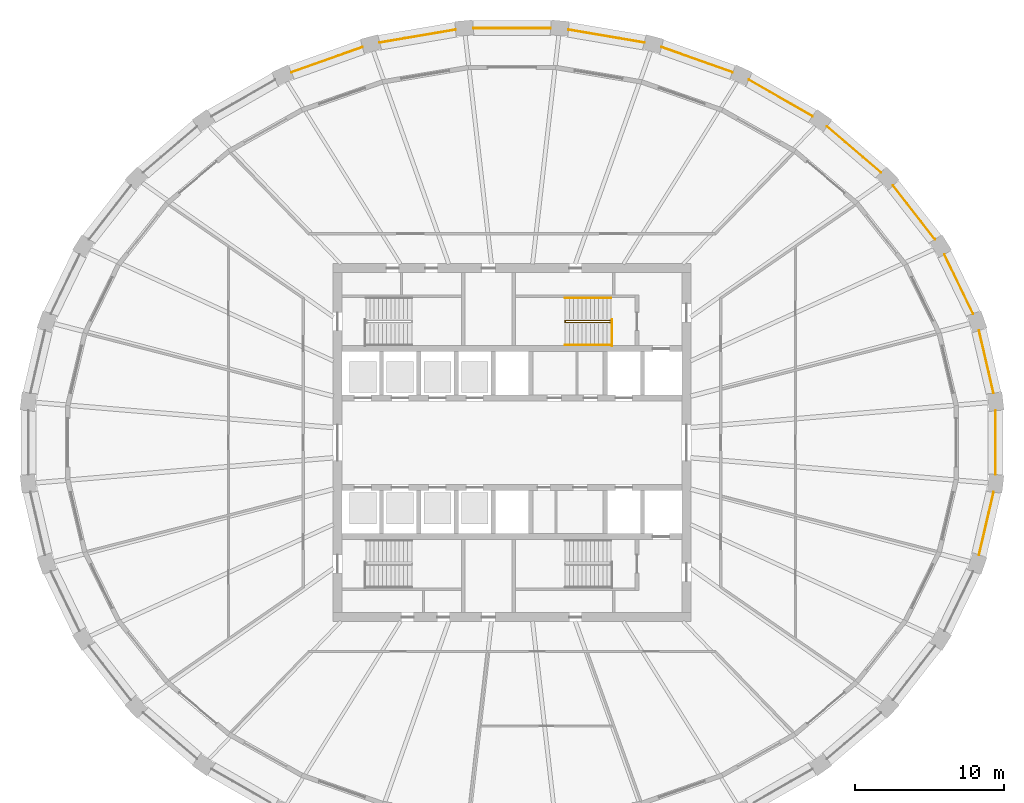
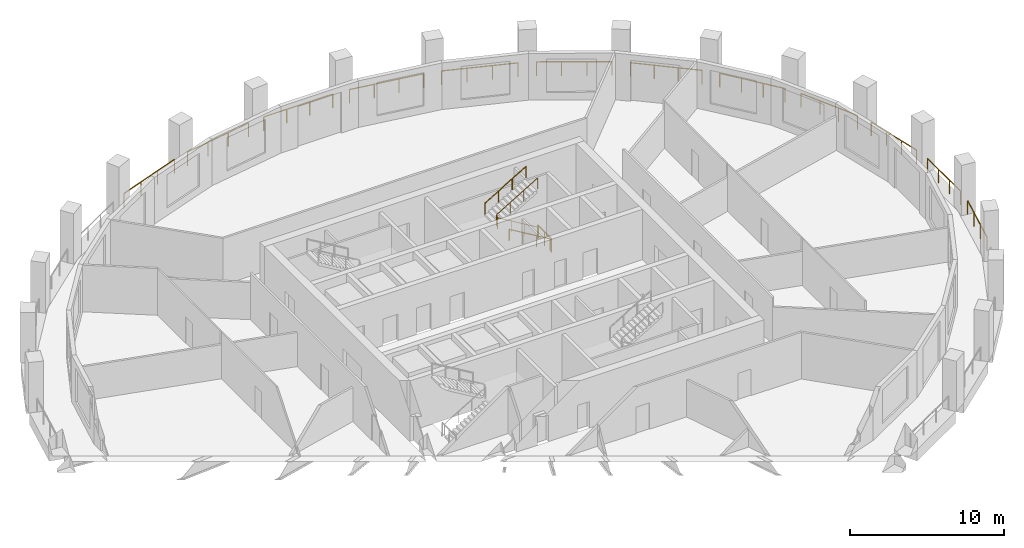
# One storey, part 9 of 10: 16 railings.
"""IFC4 building model written with IfcOpenShell, lengths in metres."""

from ifc_helpers import new_model, si_unit, direction, frame, origin, origin_2d, place, context, subcontext, project, spatial, circle, extrude, material, type_object, element, save


model = new_model("IFC4")

# Units and contexts
model_context = context("Model", 3, precision=1e-05, world=origin(), true_north=direction((0.0, 1.0)))
body_context = subcontext(model_context, "Body", "Model", "MODEL_VIEW")
ifc_project = project(units=[si_unit("LENGTHUNIT", "METRE"), si_unit("AREAUNIT", "SQUARE_METRE"), si_unit("VOLUMEUNIT", "CUBIC_METRE"), si_unit("PLANEANGLEUNIT", "RADIAN"), si_unit("MASSUNIT", "GRAM", prefix="KILO")], contexts=[model_context])

# Site, building, storey
site_placement = place(None, origin())
site = spatial("IfcSite", under=ifc_project, at=site_placement, CompositionType="ELEMENT")
building_placement = place(site_placement, origin())
building = spatial("IfcBuilding", under=site, at=building_placement, Name="Halqa Exchange Tower", CompositionType="ELEMENT")
storey_placement = place(building_placement, frame((0.0, 0.0, 190.89990234375)))
storey = spatial("IfcBuildingStorey", under=building, at=storey_placement, Name="L43", CompositionType="ELEMENT", Elevation=190.89990234375)

# Railings
ifc_material = material(Name="Stainless steel", Category="steel")
railing_type_1 = type_object("IfcRailingType", Name="Guard 1100 stainless steel", PredefinedType="GUARDRAIL", material=ifc_material)
railing_1_placement = place(storey_placement, frame((32.286376953125, 3.321533203125, 0.0)))
element("IfcRailing", 1, at=railing_1_placement, inside=storey, type_object=railing_type_1, Name="Loggia guard 1", PredefinedType="GUARDRAIL", context=body_context, shape_type="SweptSolid", body=[
    extrude(circle(Radius=0.02392578125, at=origin_2d()), frame((0.0, 0.0, 1.076171875), z_axis=(-0.226046234035, 0.974116574173, 0.0), x_axis=(-0.974116574173, -0.226046234035, 0.0)), (0.0, 0.0, 1.0), 4.3115234375),
    extrude(circle(Radius=0.02099609375, at=origin_2d()), origin(), (0.0, 0.0, 1.0), 1.052001953125),
    extrude(circle(Radius=0.02099609375, at=origin_2d()), frame((-0.324951171875, 1.39990234375, 0.0)), (0.0, 0.0, 1.0), 1.052001953125),
    extrude(circle(Radius=0.02099609375, at=origin_2d()), frame((-0.649658203125, 2.800048828125, 0.0)), (0.0, 0.0, 1.0), 1.052001953125),
    extrude(circle(Radius=0.02099609375, at=origin_2d()), frame((-0.974609375, 4.199951171875, 0.0)), (0.0, 0.0, 1.0), 1.052001953125),
])
railing_2_placement = place(storey_placement, frame((30.9150390625, 8.646240234375, 0.0)))
element("IfcRailing", 2, at=railing_2_placement, inside=storey, type_object=railing_type_1, Name="Loggia guard 2", PredefinedType="GUARDRAIL", context=body_context, shape_type="SweptSolid", body=[
    extrude(circle(Radius=0.02392578125, at=origin_2d()), frame((0.0, 0.0, 1.076171875), z_axis=(-0.435079799451, 0.900391896959, 0.0), x_axis=(-0.900391896959, -0.435079799451, 0.0)), (0.0, 0.0, 1.0), 4.417236328125),
    extrude(circle(Radius=0.02099609375, at=origin_2d()), origin(), (0.0, 0.0, 1.0), 1.052001953125),
    extrude(circle(Radius=0.02099609375, at=origin_2d()), frame((-0.640625, 1.32568359375, 0.0)), (0.0, 0.0, 1.0), 1.052001953125),
    extrude(circle(Radius=0.02099609375, at=origin_2d()), frame((-1.28125, 2.651611328125, 0.0)), (0.0, 0.0, 1.0), 1.052001953125),
    extrude(circle(Radius=0.02099609375, at=origin_2d()), frame((-1.921875, 3.977294921875, 0.0)), (0.0, 0.0, 1.0), 1.052001953125),
])
railing_3_placement = place(storey_placement, frame((28.363037109375, 13.636962890625, 0.0)))
element("IfcRailing", 3, at=railing_3_placement, inside=storey, type_object=railing_type_1, Name="Loggia guard 3", PredefinedType="GUARDRAIL", context=body_context, shape_type="SweptSolid", body=[
    extrude(circle(Radius=0.02392578125, at=origin_2d()), frame((0.0, 0.0, 1.076171875), z_axis=(-0.614790692389, 0.788690309661, 0.0), x_axis=(-0.788690309661, -0.614790692389, 0.0)), (0.0, 0.0, 1.0), 4.571044921875),
    extrude(circle(Radius=0.02099609375, at=origin_2d()), origin(), (0.0, 0.0, 1.0), 1.052001953125),
    extrude(circle(Radius=0.02099609375, at=origin_2d()), frame((-0.936767578125, 1.20166015625, 0.0)), (0.0, 0.0, 1.0), 1.052001953125),
    extrude(circle(Radius=0.02099609375, at=origin_2d()), frame((-1.87353515625, 2.403564453125, 0.0)), (0.0, 0.0, 1.0), 1.052001953125),
    extrude(circle(Radius=0.02099609375, at=origin_2d()), frame((-2.810302734375, 3.605224609375, 0.0)), (0.0, 0.0, 1.0), 1.052001953125),
])
railing_4_placement = place(storey_placement, frame((24.728271484375, 18.105712890625, 0.0)))
element("IfcRailing", 4, at=railing_4_placement, inside=storey, type_object=railing_type_1, Name="Loggia guard 4", PredefinedType="GUARDRAIL", context=body_context, shape_type="SweptSolid", body=[
    extrude(circle(Radius=0.02392578125, at=origin_2d()), frame((0.0, 0.0, 1.076171875), z_axis=(-0.759245713633, 0.650804076761, 0.0), x_axis=(-0.650804076761, -0.759245713633, 0.0)), (0.0, 0.0, 1.0), 4.748046875),
    extrude(circle(Radius=0.02099609375, at=origin_2d()), origin(), (0.0, 0.0, 1.0), 1.052001953125),
    extrude(circle(Radius=0.02099609375, at=origin_2d()), frame((-1.20166015625, 1.030029296875, 0.0)), (0.0, 0.0, 1.0), 1.052001953125),
    extrude(circle(Radius=0.02099609375, at=origin_2d()), frame((-2.4033203125, 2.06005859375, 0.0)), (0.0, 0.0, 1.0), 1.052001953125),
    extrude(circle(Radius=0.02099609375, at=origin_2d()), frame((-3.60498046875, 3.090087890625, 0.0)), (0.0, 0.0, 1.0), 1.052001953125),
])
railing_5_placement = place(storey_placement, frame((20.147216796875, 21.884521484375, 0.0)))
element("IfcRailing", 5, at=railing_5_placement, inside=storey, type_object=railing_type_1, Name="Loggia guard 5", PredefinedType="GUARDRAIL", context=body_context, shape_type="SweptSolid", body=[
    extrude(circle(Radius=0.02392578125, at=origin_2d()), frame((0.0, 0.0, 1.076171875), z_axis=(-0.867760186482, 0.496983157417, 0.0), x_axis=(-0.496983157417, -0.867760186482, 0.0)), (0.0, 0.0, 1.0), 4.91943359375),
    extrude(circle(Radius=0.02099609375, at=origin_2d()), origin(), (0.0, 0.0, 1.0), 1.052001953125),
    extrude(circle(Radius=0.02099609375, at=origin_2d()), frame((-1.4228515625, 0.81494140625, 0.0)), (0.0, 0.0, 1.0), 1.052001953125),
    extrude(circle(Radius=0.02099609375, at=origin_2d()), frame((-2.845947265625, 1.6298828125, 0.0)), (0.0, 0.0, 1.0), 1.052001953125),
    extrude(circle(Radius=0.02099609375, at=origin_2d()), frame((-4.268798828125, 2.44482421875, 0.0)), (0.0, 0.0, 1.0), 1.052001953125),
])
railing_6_placement = place(storey_placement, frame((14.792236328125, 24.828125, 0.0)))
element("IfcRailing", 6, at=railing_6_placement, inside=storey, type_object=railing_type_1, Name="Loggia guard 6", PredefinedType="GUARDRAIL", context=body_context, shape_type="SweptSolid", body=[
    extrude(circle(Radius=0.02392578125, at=origin_2d()), frame((0.0, 0.0, 1.076171875), z_axis=(-0.942353673128, 0.334618521217, 0.0), x_axis=(-0.334618521217, -0.942353673128, 0.0)), (0.0, 0.0, 1.0), 5.061279296875),
    extrude(circle(Radius=0.02099609375, at=origin_2d()), origin(), (0.0, 0.0, 1.0), 1.052001953125),
    extrude(circle(Radius=0.02099609375, at=origin_2d()), frame((-1.58984375, 0.564453125, 0.0)), (0.0, 0.0, 1.0), 1.052001953125),
    extrude(circle(Radius=0.02099609375, at=origin_2d()), frame((-3.1796875, 1.129150390625, 0.0)), (0.0, 0.0, 1.0), 1.052001953125),
    extrude(circle(Radius=0.02099609375, at=origin_2d()), frame((-4.76953125, 1.693603515625, 0.0)), (0.0, 0.0, 1.0), 1.052001953125),
])
railing_7_placement = place(storey_placement, frame((8.86572265625, 26.8232421875, 0.0)))
element("IfcRailing", 7, at=railing_7_placement, inside=storey, type_object=railing_type_1, Name="Loggia guard 7", PredefinedType="GUARDRAIL", context=body_context, shape_type="SweptSolid", body=[
    extrude(circle(Radius=0.02392578125, at=origin_2d()), frame((0.0, 0.0, 1.076171875), z_axis=(-0.985776455077, 0.168061835693, 0.0), x_axis=(-0.168061835693, -0.985776455077, 0.0)), (0.0, 0.0, 1.0), 5.154052734375),
    extrude(circle(Radius=0.02099609375, at=origin_2d()), origin(), (0.0, 0.0, 1.0), 1.052001953125),
    extrude(circle(Radius=0.02099609375, at=origin_2d()), frame((-1.693603515625, 0.288818359375, 0.0)), (0.0, 0.0, 1.0), 1.052001953125),
    extrude(circle(Radius=0.02099609375, at=origin_2d()), frame((-3.38720703125, 0.577392578125, 0.0)), (0.0, 0.0, 1.0), 1.052001953125),
    extrude(circle(Radius=0.02099609375, at=origin_2d()), frame((-5.080810546875, 0.8662109375, 0.0)), (0.0, 0.0, 1.0), 1.052001953125),
])
railing_8_placement = place(storey_placement, frame((2.59326171875, 27.790283203125, 0.0)))
element("IfcRailing", 8, at=railing_8_placement, inside=storey, type_object=railing_type_1, Name="Loggia guard 8", PredefinedType="GUARDRAIL", context=body_context, shape_type="SweptSolid", body=[
    extrude(circle(Radius=0.02392578125, at=origin_2d()), frame((0.0, 0.0, 1.076171875), z_axis=(-1.0, 0.0, 0.0), x_axis=(0.0, -1.0, 0.0)), (0.0, 0.0, 1.0), 5.1865234375),
    extrude(circle(Radius=0.02099609375, at=origin_2d()), origin(), (0.0, 0.0, 1.0), 1.052001953125),
    extrude(circle(Radius=0.02099609375, at=origin_2d()), frame((-1.728759765625, 0.0, 0.0)), (0.0, 0.0, 1.0), 1.052001953125),
    extrude(circle(Radius=0.02099609375, at=origin_2d()), frame((-3.457763671875, 0.0, 0.0)), (0.0, 0.0, 1.0), 1.052001953125),
    extrude(circle(Radius=0.02099609375, at=origin_2d()), frame((-5.1865234375, 0.0, 0.0)), (0.0, 0.0, 1.0), 1.052001953125),
])
railing_9_placement = place(storey_placement, frame((-3.784912109375, 27.689453125, 0.0)))
element("IfcRailing", 9, at=railing_9_placement, inside=storey, type_object=railing_type_1, Name="Loggia guard 9", PredefinedType="GUARDRAIL", context=body_context, shape_type="SweptSolid", body=[
    extrude(circle(Radius=0.02392578125, at=origin_2d()), frame((0.0, 0.0, 1.076171875), z_axis=(-0.985776455077, -0.168061835693, 0.0), x_axis=(0.168061835693, -0.985776455077, 0.0)), (0.0, 0.0, 1.0), 5.154052734375),
    extrude(circle(Radius=0.02099609375, at=origin_2d()), origin(), (0.0, 0.0, 1.0), 1.052001953125),
    extrude(circle(Radius=0.02099609375, at=origin_2d()), frame((-1.693603515625, -0.288818359375, 0.0)), (0.0, 0.0, 1.0), 1.052001953125),
    extrude(circle(Radius=0.02099609375, at=origin_2d()), frame((-3.38720703125, -0.577392578125, 0.0)), (0.0, 0.0, 1.0), 1.052001953125),
    extrude(circle(Radius=0.02099609375, at=origin_2d()), frame((-5.080810546875, -0.8662109375, 0.0)), (0.0, 0.0, 1.0), 1.052001953125),
])
railing_10_placement = place(storey_placement, frame((-10.022705078125, 26.521728515625, 0.0)))
element("IfcRailing", 10, at=railing_10_placement, inside=storey, type_object=railing_type_1, Name="Loggia guard 10", PredefinedType="GUARDRAIL", context=body_context, shape_type="SweptSolid", body=[
    extrude(circle(Radius=0.02392578125, at=origin_2d()), frame((0.0, 0.0, 1.076171875), z_axis=(-0.942353673128, -0.334618521217, 0.0), x_axis=(0.334618521217, -0.942353673128, 0.0)), (0.0, 0.0, 1.0), 5.061279296875),
    extrude(circle(Radius=0.02099609375, at=origin_2d()), origin(), (0.0, 0.0, 1.0), 1.052001953125),
    extrude(circle(Radius=0.02099609375, at=origin_2d()), frame((-1.58984375, -0.564453125, 0.0)), (0.0, 0.0, 1.0), 1.052001953125),
    extrude(circle(Radius=0.02099609375, at=origin_2d()), frame((-3.1796875, -1.129150390625, 0.0)), (0.0, 0.0, 1.0), 1.052001953125),
    extrude(circle(Radius=0.02099609375, at=origin_2d()), frame((-4.76953125, -1.693603515625, 0.0)), (0.0, 0.0, 1.0), 1.052001953125),
])
railing_11_placement = place(storey_placement, frame((31.311767578125, -7.521484375, 0.0)))
element("IfcRailing", 11, at=railing_11_placement, inside=storey, type_object=railing_type_1, Name="Loggia guard 31", PredefinedType="GUARDRAIL", context=body_context, shape_type="SweptSolid", body=[
    extrude(circle(Radius=0.02392578125, at=origin_2d()), frame((0.0, 0.0, 1.076171875), z_axis=(0.226046234035, 0.974116574173, 0.0), x_axis=(-0.974116574173, 0.226046234035, 0.0)), (0.0, 0.0, 1.0), 4.3115234375),
    extrude(circle(Radius=0.02099609375, at=origin_2d()), origin(), (0.0, 0.0, 1.0), 1.052001953125),
    extrude(circle(Radius=0.02099609375, at=origin_2d()), frame((0.324951171875, 1.39990234375, 0.0)), (0.0, 0.0, 1.0), 1.052001953125),
    extrude(circle(Radius=0.02099609375, at=origin_2d()), frame((0.649658203125, 2.800048828125, 0.0)), (0.0, 0.0, 1.0), 1.052001953125),
    extrude(circle(Radius=0.02099609375, at=origin_2d()), frame((0.974609375, 4.199951171875, 0.0)), (0.0, 0.0, 1.0), 1.052001953125),
])
railing_12_placement = place(storey_placement, frame((32.422119140625, -2.13720703125, 0.0)))
element("IfcRailing", 12, at=railing_12_placement, inside=storey, type_object=railing_type_1, Name="Loggia guard 32", PredefinedType="GUARDRAIL", context=body_context, shape_type="SweptSolid", body=[
    extrude(circle(Radius=0.02392578125, at=origin_2d()), frame((0.0, 0.0, 1.076171875), z_axis=(0.0, 1.0, 0.0), x_axis=(-1.0, 0.0, 0.0)), (0.0, 0.0, 1.0), 4.2744140625),
    extrude(circle(Radius=0.02099609375, at=origin_2d()), origin(), (0.0, 0.0, 1.0), 1.052001953125),
    extrude(circle(Radius=0.02099609375, at=origin_2d()), frame((0.0, 1.4248046875, 0.0)), (0.0, 0.0, 1.0), 1.052001953125),
    extrude(circle(Radius=0.02099609375, at=origin_2d()), frame((0.0, 2.849609375, 0.0)), (0.0, 0.0, 1.0), 1.052001953125),
    extrude(circle(Radius=0.02099609375, at=origin_2d()), frame((0.0, 4.2744140625, 0.0)), (0.0, 0.0, 1.0), 1.052001953125),
])
railing_type_2 = type_object("IfcRailingType", Name="Stair handrail 900", PredefinedType="HANDRAIL", material=ifc_material)
railing_13_placement = place(storey_placement, frame((6.64990234375, 8.06005859375, 0.166748046875)))
element("IfcRailing", 13, at=railing_13_placement, inside=storey, type_object=railing_type_2, Name="Handrail ST2.1", PredefinedType="HANDRAIL", context=body_context, shape_type="SweptSolid", body=[
    extrude(circle(Radius=0.02392578125, at=origin_2d()), frame((0.0, 0.0, 0.8759765625), z_axis=(-0.859290745958, 0.0, 0.51148745235), x_axis=(0.0, -1.0, 0.0)), (0.0, 0.0, 1.0), 3.584228515625),
    extrude(circle(Radius=0.02392578125, at=origin_2d()), frame((-3.079833984375, 0.0, 2.708984375), z_axis=(0.0, 0.614500226555, 0.788916644243), x_axis=(-1.0, 0.0, 0.0)), (0.0, 0.0, 1.0), 0.21142578125),
    extrude(circle(Radius=0.02392578125, at=origin_2d()), frame((-3.079833984375, 0.1298828125, 2.8759765625), z_axis=(0.859290745958, 0.0, 0.51148745235), x_axis=(0.0, 1.0, 0.0)), (0.0, 0.0, 1.0), 3.584228515625),
    extrude(circle(Radius=0.02099609375, at=origin_2d()), origin(), (0.0, 0.0, 1.0), 0.851806640625),
    extrude(circle(Radius=0.02099609375, at=origin_2d()), frame((-1.026611328125, 0.0, 0.611083984375)), (0.0, 0.0, 1.0), 0.851806640625),
    extrude(circle(Radius=0.02099609375, at=origin_2d()), frame((-2.05322265625, 0.0, 1.22216796875)), (0.0, 0.0, 1.0), 0.851806640625),
    extrude(circle(Radius=0.02099609375, at=origin_2d()), frame((-3.079833984375, 0.0, 1.833251953125)), (0.0, 0.0, 1.0), 0.851806640625),
    extrude(circle(Radius=0.02099609375, at=origin_2d()), frame((-3.079833984375, 0.1298828125, 2.0)), (0.0, 0.0, 1.0), 0.851806640625),
    extrude(circle(Radius=0.02099609375, at=origin_2d()), frame((-2.05322265625, 0.1298828125, 2.611083984375)), (0.0, 0.0, 1.0), 0.851806640625),
    extrude(circle(Radius=0.02099609375, at=origin_2d()), frame((-1.026611328125, 0.1298828125, 3.22216796875)), (0.0, 0.0, 1.0), 0.851806640625),
    extrude(circle(Radius=0.02099609375, at=origin_2d()), frame((0.0, 0.1298828125, 3.833251953125)), (0.0, 0.0, 1.0), 0.851806640625),
])
railing_14_placement = place(storey_placement, frame((6.64990234375, 6.550048828125, 0.166748046875)))
element("IfcRailing", 14, at=railing_14_placement, inside=storey, type_object=railing_type_2, Name="Handrail ST2.2", PredefinedType="HANDRAIL", context=body_context, shape_type="SweptSolid", body=[
    extrude(circle(Radius=0.02392578125, at=origin_2d()), frame((0.0, 0.0, 0.8759765625), z_axis=(-0.859290745958, 0.0, 0.51148745235), x_axis=(0.0, -1.0, 0.0)), (0.0, 0.0, 1.0), 3.584228515625),
    extrude(circle(Radius=0.02099609375, at=origin_2d()), origin(), (0.0, 0.0, 1.0), 0.851806640625),
    extrude(circle(Radius=0.02099609375, at=origin_2d()), frame((-1.026611328125, 0.0, 0.611083984375)), (0.0, 0.0, 1.0), 0.851806640625),
    extrude(circle(Radius=0.02099609375, at=origin_2d()), frame((-2.05322265625, 0.0, 1.22216796875)), (0.0, 0.0, 1.0), 0.851806640625),
    extrude(circle(Radius=0.02099609375, at=origin_2d()), frame((-3.079833984375, 0.0, 1.833251953125)), (0.0, 0.0, 1.0), 0.851806640625),
])
railing_15_placement = place(storey_placement, frame((3.570068359375, 9.699951171875, 2.166748046875)))
element("IfcRailing", 15, at=railing_15_placement, inside=storey, type_object=railing_type_2, Name="Handrail ST2.3", PredefinedType="HANDRAIL", context=body_context, shape_type="SweptSolid", body=[
    extrude(circle(Radius=0.02392578125, at=origin_2d()), frame((0.0, 0.0, 0.8759765625), z_axis=(0.859290745958, 0.0, 0.51148745235), x_axis=(0.0, 1.0, 0.0)), (0.0, 0.0, 1.0), 3.584228515625),
    extrude(circle(Radius=0.02099609375, at=origin_2d()), origin(), (0.0, 0.0, 1.0), 0.851806640625),
    extrude(circle(Radius=0.02099609375, at=origin_2d()), frame((1.026611328125, 0.0, 0.611083984375)), (0.0, 0.0, 1.0), 0.851806640625),
    extrude(circle(Radius=0.02099609375, at=origin_2d()), frame((2.05322265625, 0.0, 1.22216796875)), (0.0, 0.0, 1.0), 0.851806640625),
    extrude(circle(Radius=0.02099609375, at=origin_2d()), frame((3.079833984375, 0.0, 1.833251953125)), (0.0, 0.0, 1.0), 0.851806640625),
])
railing_type_3 = type_object("IfcRailingType", Name="Stair well guard 1100", PredefinedType="GUARDRAIL", material=ifc_material)
railing_16_placement = place(storey_placement, frame((6.699951171875, 6.5, 0.0)))
element("IfcRailing", 16, at=railing_16_placement, inside=storey, type_object=railing_type_3, Name="Guard ST2 well", PredefinedType="GUARDRAIL", context=body_context, shape_type="SweptSolid", body=[
    extrude(circle(Radius=0.02392578125, at=origin_2d()), frame((0.0, 0.0, 1.076171875), z_axis=(0.0, 1.0, 0.0), x_axis=(-1.0, 0.0, 0.0)), (0.0, 0.0, 1.0), 1.75),
    extrude(circle(Radius=0.02099609375, at=origin_2d()), origin(), (0.0, 0.0, 1.0), 1.052001953125),
    extrude(circle(Radius=0.02099609375, at=origin_2d()), frame((0.0, 0.875, 0.0)), (0.0, 0.0, 1.0), 1.052001953125),
    extrude(circle(Radius=0.02099609375, at=origin_2d()), frame((0.0, 1.75, 0.0)), (0.0, 0.0, 1.0), 1.052001953125),
])

save(model, "model.ifc")
